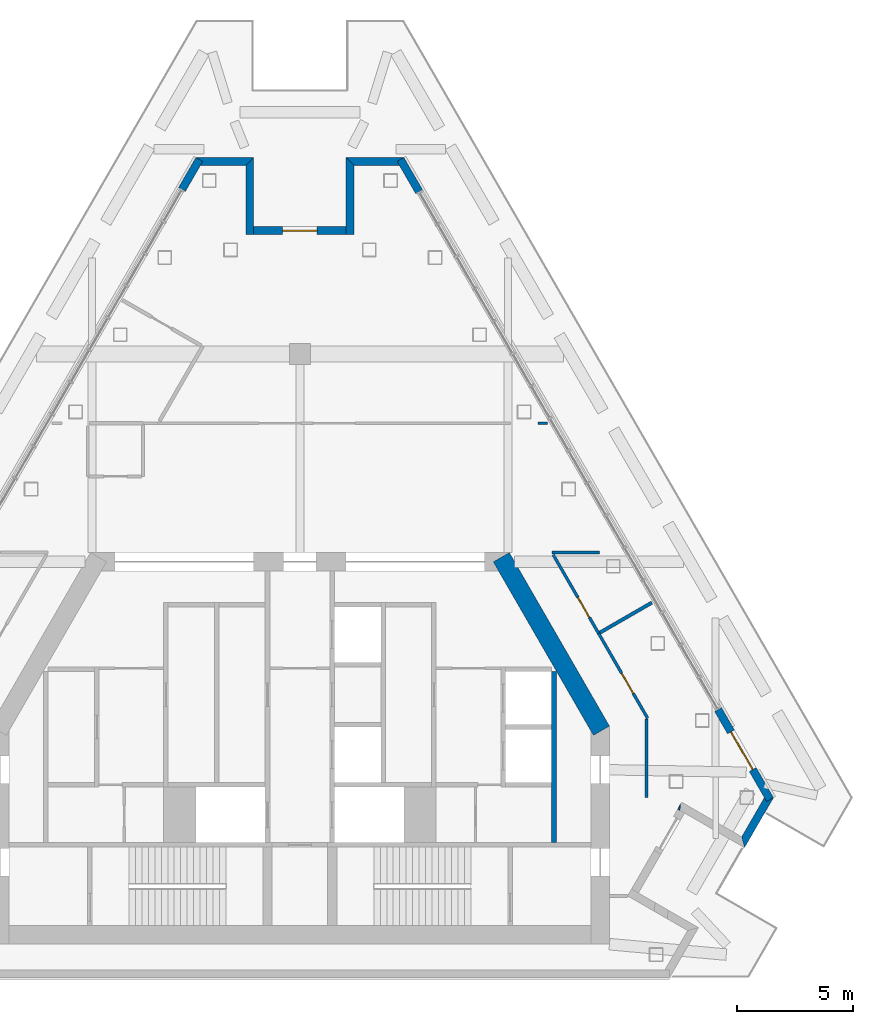
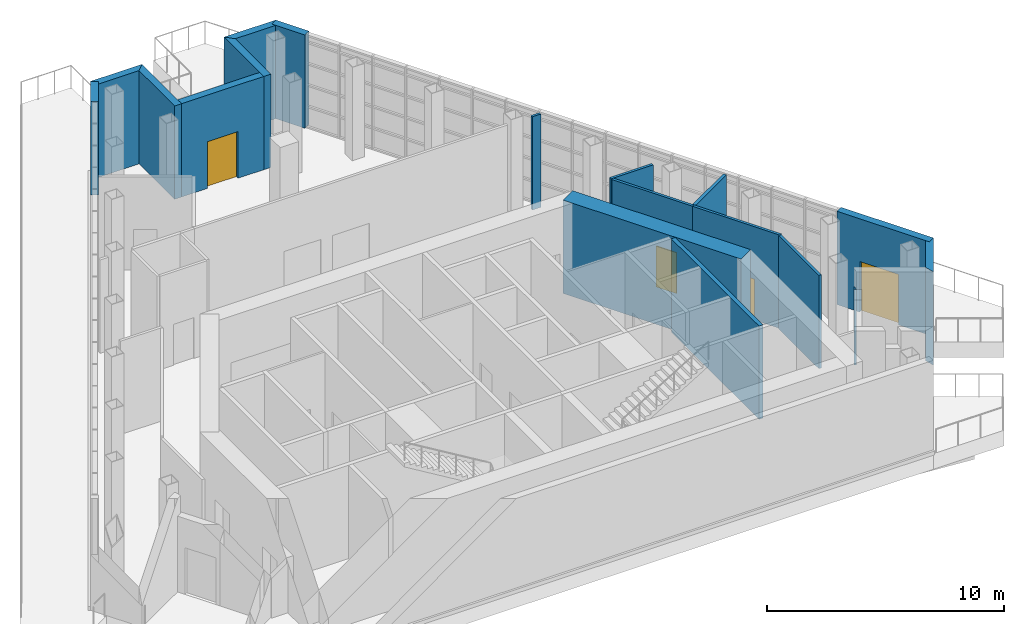
# One storey, part 13 of 15: 18 walls, 4 doors, 4 openings.
"""IFC4 building model written with IfcOpenShell, lengths in metres."""

from ifc_helpers import new_model, si_unit, direction, frame, frame_2d, origin, place, context, subcontext, project, spatial, polyline, rectangle, outline, extrude, material, layer, layer_set, type_object, element, fill, save


model = new_model("IFC4")

# Units and contexts
model_context = context("Model", 3, precision=1e-05, world=origin(), true_north=direction((0.0, 1.0)))
body_context = subcontext(model_context, "Body", "Model", "MODEL_VIEW")
ifc_project = project(units=[si_unit("LENGTHUNIT", "METRE"), si_unit("AREAUNIT", "SQUARE_METRE"), si_unit("VOLUMEUNIT", "CUBIC_METRE"), si_unit("PLANEANGLEUNIT", "RADIAN"), si_unit("MASSUNIT", "GRAM", prefix="KILO")], contexts=[model_context])

# Site, building, storey
site_placement = place(None, origin())
site = spatial("IfcSite", under=ifc_project, at=site_placement, CompositionType="ELEMENT")
building_placement = place(site_placement, origin())
building = spatial("IfcBuilding", under=site, at=building_placement, Name="Fogline Exchange Tower", CompositionType="ELEMENT")
storey_placement = place(building_placement, frame((0.0, 0.0, 344.699951171875)))
storey = spatial("IfcBuildingStorey", under=building, at=storey_placement, Name="L78", CompositionType="ELEMENT", Elevation=344.699951171875)

# Walls
ifc_material_1 = material(Name="Concrete C40", Category="concrete")
ifc_layer_1 = layer(ifc_material_1, 0.199951171875)
ifc_layer_set_1 = layer_set([ifc_layer_1], Name="CW20")
wall_type_1 = type_object("IfcWallType", Name="CW20", PredefinedType="SOLIDWALL", material=ifc_layer_set_1)
wall_1_placement = place(storey_placement, frame((11.0, 5.85009765625, 0.0), z_axis=(0.0, 0.0, 1.0), x_axis=(0.0, 1.0, 0.0)))
element("IfcWall", 1, at=wall_1_placement, inside=storey, type_object=wall_type_1, Name="Service room wall", PredefinedType="SOLIDWALL", context=body_context, shape_type="SweptSolid", body=[
    extrude(rectangle(XDim=7.39990234375, YDim=0.199951171875, at=frame_2d((3.699951171875, 0.0))), origin(), (0.0, 0.0, 1.0), 4.800048828125),
])
ifc_material_2 = material(Name="Brick masonry", Category="masonry")
ifc_layer_2 = layer(ifc_material_2, 0.340087890625)
ifc_layer_set_2 = layer_set([ifc_layer_2], Name="FW1")
wall_type_2 = type_object("IfcWallType", Name="FW1", PredefinedType="SOLIDWALL", material=ifc_layer_set_2)
wall_2_placement = place(storey_placement, origin())
element("IfcWall", 2, at=wall_2_placement, inside=storey, type_object=wall_type_2, Name="Brick wall L78 SE-s2", PredefinedType="SOLIDWALL", context=body_context, shape_type="SweptSolid", body=[
    extrude(outline(polyline([(16.356689453125, 7.298828125), (16.473388671875, 7.5009765625), (16.4443359375, 7.248291015625), (16.356689453125, 7.298828125)])), origin(), (0.0, 0.0, 1.0), 3.900146484375),
])
wall_3_placement = place(storey_placement, origin())
element("IfcWall", 3, at=wall_3_placement, inside=storey, type_object=wall_type_2, Name="Brick wall L78 SE-c2", PredefinedType="SOLIDWALL", context=body_context, shape_type="SweptSolid", body=[
    extrude(outline(polyline([(20.107421875, 7.79541015625), (20.205810546875, 7.625), (20.500732421875, 7.79541015625), (20.5009765625, 7.794921875), (19.25, 5.6279296875), (19.249755859375, 5.6279296875), (19.125, 6.09375), (20.107421875, 7.79541015625)])), origin(), (0.0, 0.0, 1.0), 4.800048828125),
])

# Wall, opening, door
wall_4_placement = place(storey_placement, frame((20.352783203125, 7.709228515625, 0.0), z_axis=(0.0, 0.0, 1.0), x_axis=(-0.499990139034, 0.866031096941, 0.0)))
wall_4 = element("IfcWall", 4, at=wall_4_placement, inside=storey, type_object=wall_type_2, Name="Brick wall L78 E bay 1", PredefinedType="SOLIDWALL", context=body_context, shape_type="SweptSolid", body=[
    extrude(rectangle(XDim=4.5, YDim=0.340087890625, at=frame_2d((2.25, 0.0))), origin(), (0.0, 0.0, 1.0), 4.800048828125),
])
opening_1_placement = place(wall_4_placement, frame((1.5, 0.0, 0.0)))
opening_1 = element("IfcOpeningElement", 5, at=opening_1_placement, cuts=wall_4, Name="Opening T26-E111", PredefinedType="OPENING", context=body_context, shape_type="SweptSolid", body=[
    extrude(rectangle(XDim=1.885009765625, YDim=2.60009765625, at=frame_2d((0.9423828125, 1.300048828125))), frame((0.0, 0.18017578125, 0.0), z_axis=(0.0, -1.0, 0.0), x_axis=(1.0, 0.0, 0.0)), (0.0, 0.0, 1.0), 0.360107421875),
])
ifc_material_3 = material(Name="Aluminium and glass", Category="aluminium")
door_type_1 = type_object("IfcDoorType", Name="ED5", OperationType="SINGLE_SWING_LEFT", PredefinedType="DOOR", material=ifc_material_3)
door_1_placement = place(opening_1_placement, frame((1.885009765625, 0.0, 0.0), z_axis=(0.0, 0.0, 1.0), x_axis=(-1.0, 0.0, 0.0)))
door_1 = element("IfcDoor", 6, at=door_1_placement, inside=storey, type_object=door_type_1, Name="Terrace door L78 E", OperationType="DOUBLE_DOOR_SINGLE_SWING", OverallHeight=2.60009765625, OverallWidth=1.885009765625, PredefinedType="DOOR", context=body_context, shape_type="SweptSolid", body=[
    extrude(rectangle(XDim=1.885009765625, YDim=2.60009765625, at=frame_2d((0.9423828125, 1.300048828125))), frame((0.0, 0.02490234375, 0.0), z_axis=(0.0, -1.0, 0.0), x_axis=(1.0, 0.0, 0.0)), (0.0, 0.0, 1.0), 0.050048828125),
])
fill(opening_1, door_1)

# Walls
wall_5_placement = place(storey_placement, frame((5.160400390625, 34.0234375, 0.0), z_axis=(0.0, 0.0, 1.0), x_axis=(-0.500040847832, 0.866001818993, 0.0)))
element("IfcWall", 7, at=wall_5_placement, inside=storey, type_object=wall_type_2, Name="Brick wall L78 E bay 2", PredefinedType="SOLIDWALL", context=body_context, shape_type="SweptSolid", body=[
    extrude(rectangle(XDim=1.614990234375, YDim=0.340087890625, at=frame_2d((0.8076171875, 0.0))), origin(), (0.0, 0.0, 1.0), 4.800048828125),
])
wall_6_placement = place(storey_placement, origin())
element("IfcWall", 8, at=wall_6_placement, inside=storey, type_object=wall_type_2, Name="Brick wall L78 N-c1", PredefinedType="SOLIDWALL", context=body_context, shape_type="SweptSolid", body=[
    extrude(outline(polyline([(1.9990234375, 35.507568359375), (4.5009765625, 35.507568359375), (4.501220703125, 35.507080078125), (4.206298828125, 35.3369140625), (4.3046875, 35.16650390625), (2.33984375, 35.16650390625), (1.998779296875, 35.50732421875), (1.9990234375, 35.507568359375)])), origin(), (0.0, 0.0, 1.0), 4.800048828125),
])
wall_7_placement = place(storey_placement, origin())
element("IfcWall", 9, at=wall_7_placement, inside=storey, type_object=wall_type_2, Name="Brick wall L78 N-s1", PredefinedType="SOLIDWALL", context=body_context, shape_type="SweptSolid", body=[
    extrude(outline(polyline([(2.340576171875, 32.16650390625), (1.99951171875, 32.16650390625), (1.99951171875, 35.508056640625), (1.999755859375, 35.50830078125), (2.340576171875, 35.167236328125), (2.340576171875, 32.16650390625)])), origin(), (0.0, 0.0, 1.0), 4.800048828125),
])

# Wall, opening, door
wall_8_placement = place(storey_placement, frame((2.0, 32.337158203125, 0.0), z_axis=(0.0, 0.0, 1.0), x_axis=(-1.0, 0.0, 0.0)))
wall_8 = element("IfcWall", 10, at=wall_8_placement, inside=storey, type_object=wall_type_2, Name="Brick wall L78 N-bk", PredefinedType="SOLIDWALL", context=body_context, shape_type="SweptSolid", body=[
    extrude(rectangle(XDim=4.0, YDim=0.340087890625, at=frame_2d((2.0, 0.0))), origin(), (0.0, 0.0, 1.0), 4.800048828125),
])
opening_2_placement = place(wall_8_placement, frame((1.25, 0.0, 0.0)))
opening_2 = element("IfcOpeningElement", 11, at=opening_2_placement, cuts=wall_8, Name="Opening T26-E141", PredefinedType="OPENING", context=body_context, shape_type="SweptSolid", body=[
    extrude(rectangle(XDim=1.5, YDim=2.39990234375, at=frame_2d((0.75, 1.199951171875))), frame((0.0, 0.18017578125, 0.0), z_axis=(0.0, -1.0, 0.0), x_axis=(1.0, 0.0, 0.0)), (0.0, 0.0, 1.0), 0.360107421875),
])
door_type_2 = type_object("IfcDoorType", Name="ED4", OperationType="SINGLE_SWING_LEFT", PredefinedType="DOOR", material=ifc_material_3)
door_2_placement = place(opening_2_placement, frame((1.5, 0.0, 0.0), z_axis=(0.0, 0.0, 1.0), x_axis=(-1.0, 0.0, 0.0)))
door_2 = element("IfcDoor", 12, at=door_2_placement, inside=storey, type_object=door_type_2, Name="Balcony door L78 N", OperationType="DOUBLE_DOOR_SINGLE_SWING", OverallHeight=2.39990234375, OverallWidth=1.5, PredefinedType="DOOR", context=body_context, shape_type="SweptSolid", body=[
    extrude(rectangle(XDim=1.5, YDim=2.39990234375, at=frame_2d((0.75, 1.199951171875))), frame((0.0, 0.02490234375, 0.0), z_axis=(0.0, -1.0, 0.0), x_axis=(1.0, 0.0, 0.0)), (0.0, 0.0, 1.0), 0.050048828125),
])
fill(opening_2, door_2)

# Walls
wall_9_placement = place(storey_placement, origin())
element("IfcWall", 13, at=wall_9_placement, inside=storey, type_object=wall_type_2, Name="Brick wall L78 N-s2", PredefinedType="SOLIDWALL", context=body_context, shape_type="SweptSolid", body=[
    extrude(outline(polyline([(-1.99951171875, 35.508056640625), (-1.99951171875, 32.16650390625), (-2.340576171875, 32.16650390625), (-2.340576171875, 35.167236328125), (-1.999755859375, 35.50830078125), (-1.99951171875, 35.508056640625)])), origin(), (0.0, 0.0, 1.0), 4.800048828125),
])
wall_10_placement = place(storey_placement, origin())
element("IfcWall", 14, at=wall_10_placement, inside=storey, type_object=wall_type_2, Name="Brick wall L78 N-c2", PredefinedType="SOLIDWALL", context=body_context, shape_type="SweptSolid", body=[
    extrude(outline(polyline([(-4.3046875, 35.16650390625), (-4.206298828125, 35.3369140625), (-4.501220703125, 35.507080078125), (-4.5009765625, 35.507568359375), (-1.9990234375, 35.507568359375), (-1.998779296875, 35.50732421875), (-2.33984375, 35.16650390625), (-4.3046875, 35.16650390625)])), origin(), (0.0, 0.0, 1.0), 4.800048828125),
])
wall_11_placement = place(storey_placement, frame((-4.352783203125, 35.422119140625, 0.0), z_axis=(0.0, 0.0, 1.0), x_axis=(-0.499990139034, -0.866031096941, 0.0)))
element("IfcWall", 15, at=wall_11_placement, inside=storey, type_object=wall_type_2, Name="Brick wall L78 W bay 1", PredefinedType="SOLIDWALL", context=body_context, shape_type="SweptSolid", body=[
    extrude(rectangle(XDim=1.5, YDim=0.340087890625, at=frame_2d((0.75, 0.0))), origin(), (0.0, 0.0, 1.0), 4.800048828125),
])
ifc_material_4 = material(Name="Plasterboard corridor partition with mineral wool, 2 layers each side")
ifc_layer_3 = layer(ifc_material_4, 0.125)
ifc_layer_set_3 = layer_set([ifc_layer_3], Name="PW2")
wall_type_3 = type_object("IfcWallType", Name="PW2", PredefinedType="PARTITIONING", material=ifc_layer_set_3)
wall_12_placement = place(storey_placement, frame((12.9619140625, 18.39990234375, 0.0), z_axis=(0.0, 0.0, 1.0), x_axis=(-1.0, 0.0, 0.0)))
element("IfcWall", 16, at=wall_12_placement, inside=storey, type_object=wall_type_3, Name="wall-L78-W001", PredefinedType="PARTITIONING", context=body_context, shape_type="SweptSolid", body=[
    extrude(rectangle(XDim=2.04931640625, YDim=0.125, at=frame_2d((1.024658203125, 0.0))), origin(), (0.0, 0.0, 1.0), 4.800048828125),
])
wall_13_placement = place(storey_placement, frame((10.30615234375, 24.0, 0.0), z_axis=(0.0, 0.0, 1.0), x_axis=(1.0, 0.0, 0.0)))
element("IfcWall", 17, at=wall_13_placement, inside=storey, type_object=wall_type_3, Name="wall-L78-W003", PredefinedType="PARTITIONING", context=body_context, shape_type="SweptSolid", body=[
    extrude(rectangle(XDim=0.414794921875, YDim=0.125, at=frame_2d((0.20751953125, 0.0))), origin(), (0.0, 0.0, 1.0), 4.800048828125),
])

# Wall, opening, door
wall_14_placement = place(storey_placement, frame((10.967041015625, 18.305908203125, 0.0), z_axis=(0.0, 0.0, 1.0), x_axis=(0.499996894828, -0.866027196549, 0.0)))
wall_14 = element("IfcWall", 18, at=wall_14_placement, inside=storey, type_object=wall_type_3, Name="wall-L78-W010", PredefinedType="PARTITIONING", context=body_context, shape_type="SweptSolid", body=[
    extrude(rectangle(XDim=3.92724609375, YDim=0.125, at=frame_2d((1.963623046875, 0.0))), origin(), (0.0, 0.0, 1.0), 4.800048828125),
])
opening_3_placement = place(wall_14_placement, frame((2.12548828125, 0.0, 0.0)))
opening_3 = element("IfcOpeningElement", 19, at=opening_3_placement, cuts=wall_14, Name="Opening T26-D004", PredefinedType="OPENING", context=body_context, shape_type="SweptSolid", body=[
    extrude(rectangle(XDim=1.0, YDim=2.10009765625, at=frame_2d((0.5, 1.050048828125))), frame((0.0, 0.072509765625, 0.0), z_axis=(0.0, -1.0, 0.0), x_axis=(1.0, 0.0, 0.0)), (0.0, 0.0, 1.0), 0.14501953125),
])
ifc_material_5 = material(Name="Fire-rated timber door leaf with steel frame", Category="steel")
door_type_3 = type_object("IfcDoorType", Name="D3", OperationType="SINGLE_SWING_LEFT", PredefinedType="DOOR", material=ifc_material_5)
door_3_placement = place(opening_3_placement, origin())
door_3 = element("IfcDoor", 20, at=door_3_placement, inside=storey, type_object=door_type_3, Name="door-L78-D004", OperationType="SINGLE_SWING_RIGHT", OverallHeight=2.10009765625, OverallWidth=1.0, PredefinedType="DOOR", context=body_context, shape_type="SweptSolid", body=[
    extrude(rectangle(XDim=1.0, YDim=2.10009765625, at=frame_2d((0.5, 1.050048828125))), frame((0.0, 0.02490234375, 0.0), z_axis=(0.0, -1.0, 0.0), x_axis=(1.0, 0.0, 0.0)), (0.0, 0.0, 1.0), 0.050048828125),
])
fill(opening_3, door_3)

wall_15_placement = place(storey_placement, frame((12.9306640625, 14.90478515625, 0.0), z_axis=(0.0, 0.0, 1.0), x_axis=(0.499984515995, -0.866034343295, 0.0)))
wall_15 = element("IfcWall", 21, at=wall_15_placement, inside=storey, type_object=wall_type_3, Name="wall-L78-W012", PredefinedType="PARTITIONING", context=body_context, shape_type="SweptSolid", body=[
    extrude(rectangle(XDim=4.247314453125, YDim=0.125, at=frame_2d((2.12353515625, 0.0))), origin(), (0.0, 0.0, 1.0), 4.800048828125),
])
opening_4_placement = place(wall_15_placement, frame((1.998291015625, 0.0, 0.0)))
opening_4 = element("IfcOpeningElement", 22, at=opening_4_placement, cuts=wall_15, Name="Opening T26-D005", PredefinedType="OPENING", context=body_context, shape_type="SweptSolid", body=[
    extrude(rectangle(XDim=1.0, YDim=2.10009765625, at=frame_2d((0.5, 1.050048828125))), frame((0.0, 0.072509765625, 0.0), z_axis=(0.0, -1.0, 0.0), x_axis=(1.0, 0.0, 0.0)), (0.0, 0.0, 1.0), 0.14501953125),
])
door_4_placement = place(opening_4_placement, origin())
door_4 = element("IfcDoor", 23, at=door_4_placement, inside=storey, type_object=door_type_3, Name="door-L78-D005", OperationType="SINGLE_SWING_RIGHT", OverallHeight=2.10009765625, OverallWidth=1.0, PredefinedType="DOOR", context=body_context, shape_type="SweptSolid", body=[
    extrude(rectangle(XDim=1.0, YDim=2.10009765625, at=frame_2d((0.5, 1.050048828125))), frame((0.0, 0.02490234375, 0.0), z_axis=(0.0, -1.0, 0.0), x_axis=(1.0, 0.0, 0.0)), (0.0, 0.0, 1.0), 0.050048828125),
])
fill(opening_4, door_4)

# Walls
wall_16_placement = place(storey_placement, frame((15.0, 11.195556640625, 0.0), z_axis=(0.0, 0.0, 1.0), x_axis=(0.0, -1.0, 0.0)))
element("IfcWall", 24, at=wall_16_placement, inside=storey, type_object=wall_type_3, Name="wall-L78-W013", PredefinedType="PARTITIONING", context=body_context, shape_type="SweptSolid", body=[
    extrude(rectangle(XDim=3.386962890625, YDim=0.125, at=frame_2d((1.693359375, 0.0))), origin(), (0.0, 0.0, 1.0), 4.800048828125),
])
ifc_material_6 = material(Name="Plasterboard demising partition with mineral wool and acoustic board")
ifc_layer_4 = layer(ifc_material_6, 0.14990234375)
ifc_layer_set_4 = layer_set([ifc_layer_4], Name="PW3")
wall_type_4 = type_object("IfcWallType", Name="PW3", PredefinedType="PARTITIONING", material=ifc_layer_set_4)
wall_17_placement = place(storey_placement, frame((15.234375, 16.234619140625, 0.0), z_axis=(0.0, 0.0, 1.0), x_axis=(-0.866054111537, -0.499950273417, 0.0)))
element("IfcWall", 25, at=wall_17_placement, inside=storey, type_object=wall_type_4, Name="wall-L78-W017", PredefinedType="PARTITIONING", context=body_context, shape_type="SweptSolid", body=[
    extrude(rectangle(XDim=2.597412109375, YDim=0.14990234375, at=frame_2d((1.298828125, 0.0))), origin(), (0.0, 0.0, 1.0), 4.800048828125),
])
ifc_material_7 = material(Name="Concrete C50", Category="concrete")
ifc_layer_5 = layer(ifc_material_7, 0.800048828125)
ifc_layer_set_5 = layer_set([ifc_layer_5], Name="SW04")
wall_type_5 = type_object("IfcWallType", Name="SW04", PredefinedType="SHEAR", material=ifc_layer_set_5)
wall_18_placement = place(storey_placement, frame((13.0537109375, 10.69189453125, 0.0), z_axis=(0.0, 0.0, 1.0), x_axis=(-0.500015780397, 0.866016292776, 0.0)))
element("IfcWall", 26, at=wall_18_placement, inside=storey, type_object=wall_type_5, Name="L78-W903", PredefinedType="SHEAR", context=body_context, shape_type="SweptSolid", body=[
    extrude(rectangle(XDim=8.669677734375, YDim=0.800048828125, at=frame_2d((4.3349609375, 0.0))), origin(), (0.0, 0.0, 1.0), 4.800048828125),
])

save(model, "model.ifc")
